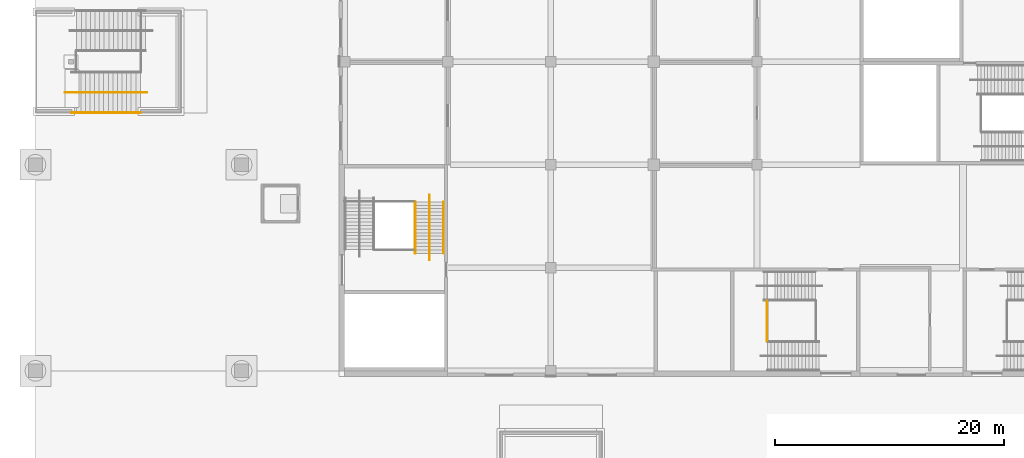
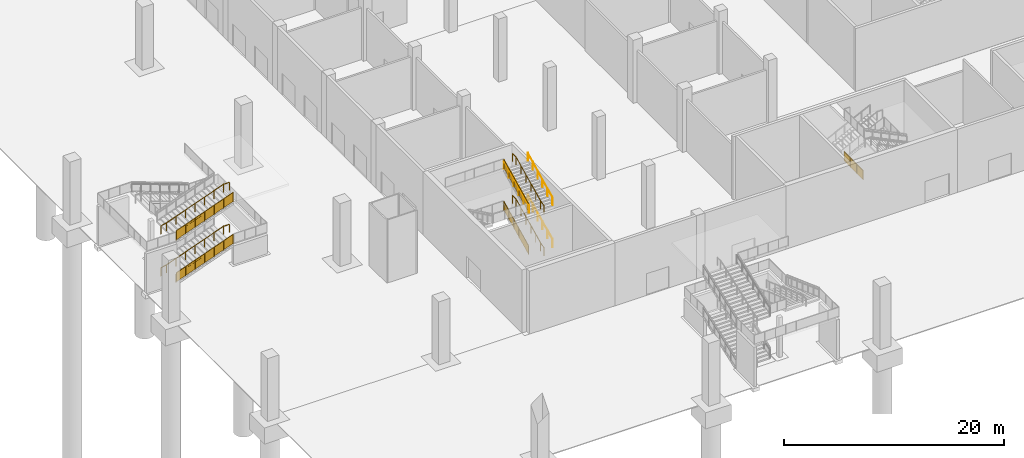
# One storey, part 53 of 92: 14 railings.
"""IFC4 building model written with IfcOpenShell, lengths in metres."""

from ifc_helpers import new_model, si_unit, direction, frame, origin, origin_2d, place, context, subcontext, project, spatial, polyline, circle, outline, extrude, material, type_object, element, save


model = new_model("IFC4")

# Units and contexts
model_context = context("Model", 3, precision=1e-05, world=origin(), true_north=direction((0.0, 1.0)))
body_context = subcontext(model_context, "Body", "Model", "MODEL_VIEW")
ifc_project = project(units=[si_unit("LENGTHUNIT", "METRE"), si_unit("AREAUNIT", "SQUARE_METRE"), si_unit("VOLUMEUNIT", "CUBIC_METRE"), si_unit("PLANEANGLEUNIT", "RADIAN"), si_unit("MASSUNIT", "GRAM", prefix="KILO")], contexts=[model_context])

# Site, building, storey
site_placement = place(None, origin())
site = spatial("IfcSite", under=ifc_project, at=site_placement, CompositionType="ELEMENT")
building_placement = place(site_placement, origin())
building = spatial("IfcBuilding", under=site, at=building_placement, Name="Silverbay Arena", CompositionType="ELEMENT")
storey_placement = place(building_placement, origin())
storey = spatial("IfcBuildingStorey", under=building, at=storey_placement, Name="L00", CompositionType="ELEMENT", Elevation=0.0)

# Railings
ifc_material_1 = material(Name="Stainless steel", Category="steel")
railing_type_1 = type_object("IfcRailingType", Name="Stair guard 1100", PredefinedType="GUARDRAIL", material=ifc_material_1)
railing_1_placement = place(storey_placement, frame((63.89306640625, 24.10009765625, 2.333251953125)))
element("IfcRailing", 1, at=railing_1_placement, inside=storey, type_object=railing_type_1, Name="Stair ST-S5 L00 to L01 landing 1 guard", PredefinedType="GUARDRAIL", context=body_context, shape_type="SweptSolid", body=[
    extrude(circle(Radius=0.02392578125, at=origin_2d()), frame((0.0, 0.0, 1.076171875), z_axis=(0.0, -1.0, 0.0), x_axis=(1.0, 0.0, 0.0)), (0.0, 0.0, 1.0), 3.5),
    extrude(outline(polyline([(-0.008056640625, 0.050048828125), (1.174560546875, 0.050048828125), (1.174560546875, 1.052978515625), (-0.008056640625, 1.052978515625), (-0.008056640625, 0.050048828125)])), frame((0.0029296875, 0.0, 0.0), z_axis=(-1.0, 0.0, 0.0), x_axis=(0.0, -1.0, 0.0)), (0.0, 0.0, 1.0), 0.006103515625),
    extrude(outline(polyline([(-0.008056640625, 0.050048828125), (1.174560546875, 0.050048828125), (1.174560546875, 1.052978515625), (-0.008056640625, 1.052978515625), (-0.008056640625, 0.050048828125)])), frame((0.0029296875, -1.166748046875, 0.0), z_axis=(-1.0, 0.0, 0.0), x_axis=(0.0, -1.0, 0.0)), (0.0, 0.0, 1.0), 0.006103515625),
    extrude(outline(polyline([(-0.008056640625, 0.050048828125), (1.174560546875, 0.050048828125), (1.174560546875, 1.052978515625), (-0.008056640625, 1.052978515625), (-0.008056640625, 0.050048828125)])), frame((0.0029296875, -2.333251953125, 0.0), z_axis=(-1.0, 0.0, 0.0), x_axis=(0.0, -1.0, 0.0)), (0.0, 0.0, 1.0), 0.006103515625),
    extrude(circle(Radius=0.02099609375, at=origin_2d()), origin(), (0.0, 0.0, 1.0), 1.052001953125),
    extrude(circle(Radius=0.02099609375, at=origin_2d()), frame((0.0, -1.166748046875, 0.0)), (0.0, 0.0, 1.0), 1.052001953125),
    extrude(circle(Radius=0.02099609375, at=origin_2d()), frame((0.0, -2.333251953125, 0.0)), (0.0, 0.0, 1.0), 1.052001953125),
    extrude(circle(Radius=0.02099609375, at=origin_2d()), frame((0.0, -3.5, 0.0)), (0.0, 0.0, 1.0), 1.052001953125),
])
railing_2_placement = place(storey_placement, frame((33.125, 28.2568359375, 0.145751953125)))
element("IfcRailing", 2, at=railing_2_placement, inside=storey, type_object=railing_type_1, Name="Stair ST-WG1 L00 to L01 flight 1 guard right", PredefinedType="GUARDRAIL", context=body_context, shape_type="SweptSolid", body=[
    extrude(circle(Radius=0.02392578125, at=origin_2d()), frame((0.0, 0.0, 1.076171875), z_axis=(0.0, 0.899367854138, 0.437192706873), x_axis=(-1.0, 0.0, 0.0)), (0.0, 0.0, 1.0), 5.00341796875),
    extrude(outline(polyline([(-0.008056640625, 0.046142578125), (0.907958984375, 0.491455078125), (0.907958984375, 1.494384765625), (-0.008056640625, 1.049072265625), (-0.008056640625, 0.046142578125)])), frame((-0.0029296875, 0.0, 0.0), z_axis=(1.0, 0.0, 0.0), x_axis=(0.0, 1.0, 0.0)), (0.0, 0.0, 1.0), 0.006103515625),
    extrude(outline(polyline([(-0.008056640625, 0.483642578125), (0.907958984375, 0.928955078125), (0.907958984375, 1.931884765625), (-0.008056640625, 1.486572265625), (-0.008056640625, 0.483642578125)])), frame((-0.0029296875, 0.89990234375, 0.0), z_axis=(1.0, 0.0, 0.0), x_axis=(0.0, 1.0, 0.0)), (0.0, 0.0, 1.0), 0.006103515625),
    extrude(outline(polyline([(-0.008056640625, 0.921142578125), (0.907958984375, 1.366455078125), (0.907958984375, 2.369384765625), (-0.008056640625, 1.924072265625), (-0.008056640625, 0.921142578125)])), frame((-0.0029296875, 1.800048828125, 0.0), z_axis=(1.0, 0.0, 0.0), x_axis=(0.0, 1.0, 0.0)), (0.0, 0.0, 1.0), 0.006103515625),
    extrude(outline(polyline([(-0.008056640625, 1.358642578125), (0.907958984375, 1.803955078125), (0.907958984375, 2.806884765625), (-0.008056640625, 2.361572265625), (-0.008056640625, 1.358642578125)])), frame((-0.0029296875, 2.699951171875, 0.0), z_axis=(1.0, 0.0, 0.0), x_axis=(0.0, 1.0, 0.0)), (0.0, 0.0, 1.0), 0.006103515625),
    extrude(outline(polyline([(-0.008056640625, 1.796142578125), (0.907958984375, 2.241455078125), (0.907958984375, 3.244384765625), (-0.008056640625, 2.799072265625), (-0.008056640625, 1.796142578125)])), frame((-0.0029296875, 3.60009765625, 0.0), z_axis=(1.0, 0.0, 0.0), x_axis=(0.0, 1.0, 0.0)), (0.0, 0.0, 1.0), 0.006103515625),
    extrude(circle(Radius=0.02099609375, at=origin_2d()), origin(), (0.0, 0.0, 1.0), 1.052001953125),
    extrude(circle(Radius=0.02099609375, at=origin_2d()), frame((0.0, 0.89990234375, 0.4375)), (0.0, 0.0, 1.0), 1.052001953125),
    extrude(circle(Radius=0.02099609375, at=origin_2d()), frame((0.0, 1.800048828125, 0.875)), (0.0, 0.0, 1.0), 1.052001953125),
    extrude(circle(Radius=0.02099609375, at=origin_2d()), frame((0.0, 2.699951171875, 1.3125)), (0.0, 0.0, 1.0), 1.052001953125),
    extrude(circle(Radius=0.02099609375, at=origin_2d()), frame((0.0, 3.60009765625, 1.75)), (0.0, 0.0, 1.0), 1.052001953125),
    extrude(circle(Radius=0.02099609375, at=origin_2d()), frame((0.0, 4.5, 2.1875)), (0.0, 0.0, 1.0), 1.052001953125),
])
railing_3_placement = place(storey_placement, frame((33.125, 28.2568359375, 4.8125)))
element("IfcRailing", 3, at=railing_3_placement, inside=storey, type_object=railing_type_1, Name="Stair ST-WG1 L00 to L01 flight 3 guard right", PredefinedType="GUARDRAIL", context=body_context, shape_type="SweptSolid", body=[
    extrude(circle(Radius=0.02392578125, at=origin_2d()), frame((0.0, 0.0, 1.076171875), z_axis=(0.0, 0.899367854138, 0.437192706873), x_axis=(-1.0, 0.0, 0.0)), (0.0, 0.0, 1.0), 5.00341796875),
    extrude(outline(polyline([(-0.008056640625, 0.046142578125), (0.907958984375, 0.491455078125), (0.907958984375, 1.494384765625), (-0.008056640625, 1.049072265625), (-0.008056640625, 0.046142578125)])), frame((-0.0029296875, 0.0, 0.0), z_axis=(1.0, 0.0, 0.0), x_axis=(0.0, 1.0, 0.0)), (0.0, 0.0, 1.0), 0.006103515625),
    extrude(outline(polyline([(-0.008056640625, 0.483642578125), (0.907958984375, 0.928955078125), (0.907958984375, 1.931884765625), (-0.008056640625, 1.486572265625), (-0.008056640625, 0.483642578125)])), frame((-0.0029296875, 0.89990234375, 0.0), z_axis=(1.0, 0.0, 0.0), x_axis=(0.0, 1.0, 0.0)), (0.0, 0.0, 1.0), 0.006103515625),
    extrude(outline(polyline([(-0.008056640625, 0.921142578125), (0.907958984375, 1.366455078125), (0.907958984375, 2.369384765625), (-0.008056640625, 1.924072265625), (-0.008056640625, 0.921142578125)])), frame((-0.0029296875, 1.800048828125, 0.0), z_axis=(1.0, 0.0, 0.0), x_axis=(0.0, 1.0, 0.0)), (0.0, 0.0, 1.0), 0.006103515625),
    extrude(outline(polyline([(-0.008056640625, 1.358642578125), (0.907958984375, 1.803955078125), (0.907958984375, 2.806884765625), (-0.008056640625, 2.361572265625), (-0.008056640625, 1.358642578125)])), frame((-0.0029296875, 2.699951171875, 0.0), z_axis=(1.0, 0.0, 0.0), x_axis=(0.0, 1.0, 0.0)), (0.0, 0.0, 1.0), 0.006103515625),
    extrude(outline(polyline([(-0.008056640625, 1.796142578125), (0.907958984375, 2.241455078125), (0.907958984375, 3.244384765625), (-0.008056640625, 2.799072265625), (-0.008056640625, 1.796142578125)])), frame((-0.0029296875, 3.60009765625, 0.0), z_axis=(1.0, 0.0, 0.0), x_axis=(0.0, 1.0, 0.0)), (0.0, 0.0, 1.0), 0.006103515625),
    extrude(circle(Radius=0.02099609375, at=origin_2d()), origin(), (0.0, 0.0, 1.0), 1.052001953125),
    extrude(circle(Radius=0.02099609375, at=origin_2d()), frame((0.0, 0.89990234375, 0.4375)), (0.0, 0.0, 1.0), 1.052001953125),
    extrude(circle(Radius=0.02099609375, at=origin_2d()), frame((0.0, 1.800048828125, 0.875)), (0.0, 0.0, 1.0), 1.052001953125),
    extrude(circle(Radius=0.02099609375, at=origin_2d()), frame((0.0, 2.699951171875, 1.3125)), (0.0, 0.0, 1.0), 1.052001953125),
    extrude(circle(Radius=0.02099609375, at=origin_2d()), frame((0.0, 3.60009765625, 1.75)), (0.0, 0.0, 1.0), 1.052001953125),
    extrude(circle(Radius=0.02099609375, at=origin_2d()), frame((0.0, 4.5, 2.1875)), (0.0, 0.0, 1.0), 1.052001953125),
])
railing_4_placement = place(storey_placement, frame((3.162109375, 40.52490234375, 0.145751953125)))
element("IfcRailing", 4, at=railing_4_placement, inside=storey, type_object=railing_type_1, Name="Deck stair DS1 flight 1 guard left", PredefinedType="GUARDRAIL", context=body_context, shape_type="SweptSolid", body=[
    extrude(circle(Radius=0.02392578125, at=origin_2d()), frame((0.0, 0.0, 1.076171875), z_axis=(0.939507356738, 0.0, 0.342528723811), x_axis=(0.0, 1.0, 0.0)), (0.0, 0.0, 1.0), 6.38623046875),
    extrude(outline(polyline([(-0.008056640625, 0.047119140625), (1.008056640625, 0.41748046875), (1.008056640625, 1.42041015625), (-0.008056640625, 1.050048828125), (-0.008056640625, 0.047119140625)])), frame((0.0, 0.0029296875, 0.0), z_axis=(0.0, -1.0, 0.0), x_axis=(1.0, 0.0, 0.0)), (0.0, 0.0, 1.0), 0.006103515625),
    extrude(outline(polyline([(-0.008056640625, 0.41162109375), (1.008056640625, 0.781982421875), (1.008056640625, 1.78515625), (-0.008056640625, 1.41455078125), (-0.008056640625, 0.41162109375)])), frame((1.0, 0.0029296875, 0.0), z_axis=(0.0, -1.0, 0.0), x_axis=(1.0, 0.0, 0.0)), (0.0, 0.0, 1.0), 0.006103515625),
    extrude(outline(polyline([(-0.008056640625, 0.7763671875), (1.008056640625, 1.146728515625), (1.008056640625, 2.149658203125), (-0.008056640625, 1.779296875), (-0.008056640625, 0.7763671875)])), frame((2.0, 0.0029296875, 0.0), z_axis=(0.0, -1.0, 0.0), x_axis=(1.0, 0.0, 0.0)), (0.0, 0.0, 1.0), 0.006103515625),
    extrude(outline(polyline([(-0.008056640625, 1.140869140625), (1.008056640625, 1.51123046875), (1.008056640625, 2.51416015625), (-0.008056640625, 2.143798828125), (-0.008056640625, 1.140869140625)])), frame((3.0, 0.0029296875, 0.0), z_axis=(0.0, -1.0, 0.0), x_axis=(1.0, 0.0, 0.0)), (0.0, 0.0, 1.0), 0.006103515625),
    extrude(outline(polyline([(-0.008056640625, 1.50537109375), (1.008056640625, 1.875732421875), (1.008056640625, 2.87890625), (-0.008056640625, 2.50830078125), (-0.008056640625, 1.50537109375)])), frame((4.0, 0.0029296875, 0.0), z_axis=(0.0, -1.0, 0.0), x_axis=(1.0, 0.0, 0.0)), (0.0, 0.0, 1.0), 0.006103515625),
    extrude(outline(polyline([(-0.008056640625, 1.8701171875), (1.008056640625, 2.240478515625), (1.008056640625, 3.243408203125), (-0.008056640625, 2.873046875), (-0.008056640625, 1.8701171875)])), frame((5.0, 0.0029296875, 0.0), z_axis=(0.0, -1.0, 0.0), x_axis=(1.0, 0.0, 0.0)), (0.0, 0.0, 1.0), 0.006103515625),
    extrude(circle(Radius=0.02099609375, at=origin_2d()), origin(), (0.0, 0.0, 1.0), 1.052001953125),
    extrude(circle(Radius=0.02099609375, at=origin_2d()), frame((1.0, 0.0, 0.364501953125)), (0.0, 0.0, 1.0), 1.052001953125),
    extrude(circle(Radius=0.02099609375, at=origin_2d()), frame((2.0, 0.0, 0.729248046875)), (0.0, 0.0, 1.0), 1.052001953125),
    extrude(circle(Radius=0.02099609375, at=origin_2d()), frame((3.0, 0.0, 1.09375)), (0.0, 0.0, 1.0), 1.052001953125),
    extrude(circle(Radius=0.02099609375, at=origin_2d()), frame((4.0, 0.0, 1.458251953125)), (0.0, 0.0, 1.0), 1.052001953125),
    extrude(circle(Radius=0.02099609375, at=origin_2d()), frame((5.0, 0.0, 1.822998046875)), (0.0, 0.0, 1.0), 1.052001953125),
    extrude(circle(Radius=0.02099609375, at=origin_2d()), frame((6.0, 0.0, 2.1875)), (0.0, 0.0, 1.0), 1.052001953125),
])
railing_5_placement = place(storey_placement, frame((3.162109375, 40.52490234375, 4.8125)))
element("IfcRailing", 5, at=railing_5_placement, inside=storey, type_object=railing_type_1, Name="Deck stair DS1 flight 3 guard left", PredefinedType="GUARDRAIL", context=body_context, shape_type="SweptSolid", body=[
    extrude(circle(Radius=0.02392578125, at=origin_2d()), frame((0.0, 0.0, 1.076171875), z_axis=(0.939507356738, 0.0, 0.342528723811), x_axis=(0.0, 1.0, 0.0)), (0.0, 0.0, 1.0), 6.38623046875),
    extrude(outline(polyline([(-0.008056640625, 0.047119140625), (1.008056640625, 0.41748046875), (1.008056640625, 1.42041015625), (-0.008056640625, 1.050048828125), (-0.008056640625, 0.047119140625)])), frame((0.0, 0.0029296875, 0.0), z_axis=(0.0, -1.0, 0.0), x_axis=(1.0, 0.0, 0.0)), (0.0, 0.0, 1.0), 0.006103515625),
    extrude(outline(polyline([(-0.008056640625, 0.41162109375), (1.008056640625, 0.781982421875), (1.008056640625, 1.78515625), (-0.008056640625, 1.41455078125), (-0.008056640625, 0.41162109375)])), frame((1.0, 0.0029296875, 0.0), z_axis=(0.0, -1.0, 0.0), x_axis=(1.0, 0.0, 0.0)), (0.0, 0.0, 1.0), 0.006103515625),
    extrude(outline(polyline([(-0.008056640625, 0.7763671875), (1.008056640625, 1.146728515625), (1.008056640625, 2.149658203125), (-0.008056640625, 1.779296875), (-0.008056640625, 0.7763671875)])), frame((2.0, 0.0029296875, 0.0), z_axis=(0.0, -1.0, 0.0), x_axis=(1.0, 0.0, 0.0)), (0.0, 0.0, 1.0), 0.006103515625),
    extrude(outline(polyline([(-0.008056640625, 1.140869140625), (1.008056640625, 1.51123046875), (1.008056640625, 2.51416015625), (-0.008056640625, 2.143798828125), (-0.008056640625, 1.140869140625)])), frame((3.0, 0.0029296875, 0.0), z_axis=(0.0, -1.0, 0.0), x_axis=(1.0, 0.0, 0.0)), (0.0, 0.0, 1.0), 0.006103515625),
    extrude(outline(polyline([(-0.008056640625, 1.50537109375), (1.008056640625, 1.875732421875), (1.008056640625, 2.87890625), (-0.008056640625, 2.50830078125), (-0.008056640625, 1.50537109375)])), frame((4.0, 0.0029296875, 0.0), z_axis=(0.0, -1.0, 0.0), x_axis=(1.0, 0.0, 0.0)), (0.0, 0.0, 1.0), 0.006103515625),
    extrude(outline(polyline([(-0.008056640625, 1.8701171875), (1.008056640625, 2.240478515625), (1.008056640625, 3.243408203125), (-0.008056640625, 2.873046875), (-0.008056640625, 1.8701171875)])), frame((5.0, 0.0029296875, 0.0), z_axis=(0.0, -1.0, 0.0), x_axis=(1.0, 0.0, 0.0)), (0.0, 0.0, 1.0), 0.006103515625),
    extrude(circle(Radius=0.02099609375, at=origin_2d()), origin(), (0.0, 0.0, 1.0), 1.052001953125),
    extrude(circle(Radius=0.02099609375, at=origin_2d()), frame((1.0, 0.0, 0.364501953125)), (0.0, 0.0, 1.0), 1.052001953125),
    extrude(circle(Radius=0.02099609375, at=origin_2d()), frame((2.0, 0.0, 0.729248046875)), (0.0, 0.0, 1.0), 1.052001953125),
    extrude(circle(Radius=0.02099609375, at=origin_2d()), frame((3.0, 0.0, 1.09375)), (0.0, 0.0, 1.0), 1.052001953125),
    extrude(circle(Radius=0.02099609375, at=origin_2d()), frame((4.0, 0.0, 1.458251953125)), (0.0, 0.0, 1.0), 1.052001953125),
    extrude(circle(Radius=0.02099609375, at=origin_2d()), frame((5.0, 0.0, 1.822998046875)), (0.0, 0.0, 1.0), 1.052001953125),
    extrude(circle(Radius=0.02099609375, at=origin_2d()), frame((6.0, 0.0, 2.1875)), (0.0, 0.0, 1.0), 1.052001953125),
])
ifc_material_2 = material(Name="Stainless steel", Category="steel")
railing_type_2 = type_object("IfcRailingType", Name="Stair handrail 900", PredefinedType="HANDRAIL", material=ifc_material_2)
railing_6_placement = place(storey_placement, frame((35.64990234375, 28.2568359375, 0.145751953125)))
element("IfcRailing", 6, at=railing_6_placement, inside=storey, type_object=railing_type_2, Name="Stair ST-WG1 L00 to L01 flight 1 handrail left", PredefinedType="HANDRAIL", context=body_context, shape_type="SweptSolid", body=[
    extrude(circle(Radius=0.02392578125, at=origin_2d()), frame((0.0, 0.0, 0.8759765625), z_axis=(0.0, 0.899367854138, 0.437192706873), x_axis=(-1.0, 0.0, 0.0)), (0.0, 0.0, 1.0), 5.00341796875),
    extrude(circle(Radius=0.02099609375, at=origin_2d()), origin(), (0.0, 0.0, 1.0), 0.851806640625),
    extrude(circle(Radius=0.02099609375, at=origin_2d()), frame((0.0, 0.89990234375, 0.4375)), (0.0, 0.0, 1.0), 0.851806640625),
    extrude(circle(Radius=0.02099609375, at=origin_2d()), frame((0.0, 1.800048828125, 0.875)), (0.0, 0.0, 1.0), 0.851806640625),
    extrude(circle(Radius=0.02099609375, at=origin_2d()), frame((0.0, 2.699951171875, 1.3125)), (0.0, 0.0, 1.0), 0.851806640625),
    extrude(circle(Radius=0.02099609375, at=origin_2d()), frame((0.0, 3.60009765625, 1.75)), (0.0, 0.0, 1.0), 0.851806640625),
    extrude(circle(Radius=0.02099609375, at=origin_2d()), frame((0.0, 4.5, 2.1875)), (0.0, 0.0, 1.0), 0.851806640625),
])
railing_7_placement = place(storey_placement, frame((34.39990234375, 27.656982421875, 0.0)))
element("IfcRailing", 7, at=railing_7_placement, inside=storey, type_object=railing_type_2, Name="Stair ST-WG1 L00 to L01 flight 1 central handrail", PredefinedType="HANDRAIL", context=body_context, shape_type="SweptSolid", body=[
    extrude(circle(Radius=0.02392578125, at=origin_2d()), frame((0.0, 0.0, 0.8759765625), z_axis=(0.0, 0.971726487806, 0.23610936639), x_axis=(-1.0, 0.0, 0.0)), (0.0, 0.0, 1.0), 0.6171875),
    extrude(circle(Radius=0.02392578125, at=origin_2d()), frame((0.0, 0.599853515625, 1.021484375), z_axis=(0.0, 0.899367854138, 0.437192706873), x_axis=(-1.0, 0.0, 0.0)), (0.0, 0.0, 1.0), 5.00341796875),
    extrude(circle(Radius=0.02392578125, at=origin_2d()), frame((0.0, 5.099853515625, 3.208984375), z_axis=(0.0, 1.0, 0.0), x_axis=(-1.0, 0.0, 0.0)), (0.0, 0.0, 1.0), 0.60009765625),
    extrude(circle(Radius=0.02099609375, at=origin_2d()), origin(), (0.0, 0.0, 1.0), 0.851806640625),
    extrude(circle(Radius=0.02099609375, at=origin_2d()), frame((0.0, 0.599853515625, 0.145751953125)), (0.0, 0.0, 1.0), 0.851806640625),
    extrude(circle(Radius=0.02099609375, at=origin_2d()), frame((0.0, 1.499755859375, 0.583251953125)), (0.0, 0.0, 1.0), 0.851806640625),
    extrude(circle(Radius=0.02099609375, at=origin_2d()), frame((0.0, 2.39990234375, 1.020751953125)), (0.0, 0.0, 1.0), 0.851806640625),
    extrude(circle(Radius=0.02099609375, at=origin_2d()), frame((0.0, 3.2998046875, 1.458251953125)), (0.0, 0.0, 1.0), 0.851806640625),
    extrude(circle(Radius=0.02099609375, at=origin_2d()), frame((0.0, 4.199951171875, 1.895751953125)), (0.0, 0.0, 1.0), 0.851806640625),
    extrude(circle(Radius=0.02099609375, at=origin_2d()), frame((0.0, 5.099853515625, 2.333251953125)), (0.0, 0.0, 1.0), 0.851806640625),
    extrude(circle(Radius=0.02099609375, at=origin_2d()), frame((0.0, 5.699951171875, 2.333251953125)), (0.0, 0.0, 1.0), 0.851806640625),
])
for number, where, name in (
    (8, (35.64990234375, 28.2568359375, 4.8125), "Stair ST-WG1 L00 to L01 flight 3 handrail left"),
    (9, (33.1640625, 28.2568359375, 4.8125), "Stair ST-WG1 L00 to L01 flight 3 handrail right"),
):
    element("IfcRailing", number, at=place(storey_placement, frame(where)), inside=storey, type_object=railing_type_2, Name=name, PredefinedType="HANDRAIL", context=body_context, shape_type="SweptSolid", body=[
        extrude(circle(Radius=0.02392578125, at=origin_2d()), frame((0.0, 0.0, 0.8759765625), z_axis=(0.0, 0.899367854138, 0.437192706873), x_axis=(-1.0, 0.0, 0.0)), (0.0, 0.0, 1.0), 5.00341796875),
        extrude(circle(Radius=0.02099609375, at=origin_2d()), origin(), (0.0, 0.0, 1.0), 0.851806640625),
        extrude(circle(Radius=0.02099609375, at=origin_2d()), frame((0.0, 0.89990234375, 0.4375)), (0.0, 0.0, 1.0), 0.851806640625),
        extrude(circle(Radius=0.02099609375, at=origin_2d()), frame((0.0, 1.800048828125, 0.875)), (0.0, 0.0, 1.0), 0.851806640625),
        extrude(circle(Radius=0.02099609375, at=origin_2d()), frame((0.0, 2.699951171875, 1.3125)), (0.0, 0.0, 1.0), 0.851806640625),
        extrude(circle(Radius=0.02099609375, at=origin_2d()), frame((0.0, 3.60009765625, 1.75)), (0.0, 0.0, 1.0), 0.851806640625),
        extrude(circle(Radius=0.02099609375, at=origin_2d()), frame((0.0, 4.5, 2.1875)), (0.0, 0.0, 1.0), 0.851806640625),
    ])
railing_8_placement = place(storey_placement, frame((34.39990234375, 27.656982421875, 4.666748046875)))
element("IfcRailing", 10, at=railing_8_placement, inside=storey, type_object=railing_type_2, Name="Stair ST-WG1 L00 to L01 flight 3 central handrail", PredefinedType="HANDRAIL", context=body_context, shape_type="SweptSolid", body=[
    extrude(circle(Radius=0.02392578125, at=origin_2d()), frame((0.0, 0.0, 0.8759765625), z_axis=(0.0, 0.971726487806, 0.23610936639), x_axis=(-1.0, 0.0, 0.0)), (0.0, 0.0, 1.0), 0.6171875),
    extrude(circle(Radius=0.02392578125, at=origin_2d()), frame((0.0, 0.599853515625, 1.021484375), z_axis=(0.0, 0.899367854138, 0.437192706873), x_axis=(-1.0, 0.0, 0.0)), (0.0, 0.0, 1.0), 5.00341796875),
    extrude(circle(Radius=0.02392578125, at=origin_2d()), frame((0.0, 5.099853515625, 3.208984375), z_axis=(0.0, 1.0, 0.0), x_axis=(-1.0, 0.0, 0.0)), (0.0, 0.0, 1.0), 0.60009765625),
    extrude(circle(Radius=0.02099609375, at=origin_2d()), origin(), (0.0, 0.0, 1.0), 0.851806640625),
    extrude(circle(Radius=0.02099609375, at=origin_2d()), frame((0.0, 0.599853515625, 0.145751953125)), (0.0, 0.0, 1.0), 0.851806640625),
    extrude(circle(Radius=0.02099609375, at=origin_2d()), frame((0.0, 1.499755859375, 0.583251953125)), (0.0, 0.0, 1.0), 0.851806640625),
    extrude(circle(Radius=0.02099609375, at=origin_2d()), frame((0.0, 2.39990234375, 1.020751953125)), (0.0, 0.0, 1.0), 0.851806640625),
    extrude(circle(Radius=0.02099609375, at=origin_2d()), frame((0.0, 3.2998046875, 1.458251953125)), (0.0, 0.0, 1.0), 0.851806640625),
    extrude(circle(Radius=0.02099609375, at=origin_2d()), frame((0.0, 4.199951171875, 1.895751953125)), (0.0, 0.0, 1.0), 0.851806640625),
    extrude(circle(Radius=0.02099609375, at=origin_2d()), frame((0.0, 5.099853515625, 2.333251953125)), (0.0, 0.0, 1.0), 0.851806640625),
    extrude(circle(Radius=0.02099609375, at=origin_2d()), frame((0.0, 5.699951171875, 2.333251953125)), (0.0, 0.0, 1.0), 0.851806640625),
])
railing_9_placement = place(storey_placement, frame((3.162109375, 40.56396484375, 0.145751953125)))
element("IfcRailing", 11, at=railing_9_placement, inside=storey, type_object=railing_type_2, Name="Deck stair DS1 flight 1 handrail left", PredefinedType="HANDRAIL", context=body_context, shape_type="SweptSolid", body=[
    extrude(circle(Radius=0.02392578125, at=origin_2d()), frame((0.0, 0.0, 0.8759765625), z_axis=(0.939507356738, 0.0, 0.342528723811), x_axis=(0.0, 1.0, 0.0)), (0.0, 0.0, 1.0), 6.38623046875),
    extrude(circle(Radius=0.02099609375, at=origin_2d()), origin(), (0.0, 0.0, 1.0), 0.851806640625),
    extrude(circle(Radius=0.02099609375, at=origin_2d()), frame((1.0, 0.0, 0.364501953125)), (0.0, 0.0, 1.0), 0.851806640625),
    extrude(circle(Radius=0.02099609375, at=origin_2d()), frame((2.0, 0.0, 0.729248046875)), (0.0, 0.0, 1.0), 0.851806640625),
    extrude(circle(Radius=0.02099609375, at=origin_2d()), frame((3.0, 0.0, 1.09375)), (0.0, 0.0, 1.0), 0.851806640625),
    extrude(circle(Radius=0.02099609375, at=origin_2d()), frame((4.0, 0.0, 1.458251953125)), (0.0, 0.0, 1.0), 0.851806640625),
    extrude(circle(Radius=0.02099609375, at=origin_2d()), frame((5.0, 0.0, 1.822998046875)), (0.0, 0.0, 1.0), 0.851806640625),
    extrude(circle(Radius=0.02099609375, at=origin_2d()), frame((6.0, 0.0, 2.1875)), (0.0, 0.0, 1.0), 0.851806640625),
])
railing_10_placement = place(storey_placement, frame((2.56201171875, 42.300048828125, 0.0)))
element("IfcRailing", 12, at=railing_10_placement, inside=storey, type_object=railing_type_2, Name="Deck stair DS1 flight 1 central handrail", PredefinedType="HANDRAIL", context=body_context, shape_type="SweptSolid", body=[
    extrude(circle(Radius=0.02392578125, at=origin_2d()), frame((0.0, 0.0, 0.8759765625), z_axis=(0.971748522905, 0.0, 0.236018660771), x_axis=(0.0, 1.0, 0.0)), (0.0, 0.0, 1.0), 0.617431640625),
    extrude(circle(Radius=0.02392578125, at=origin_2d()), frame((0.60009765625, 0.0, 1.021484375), z_axis=(0.939507356738, 0.0, 0.342528723811), x_axis=(0.0, 1.0, 0.0)), (0.0, 0.0, 1.0), 6.38623046875),
    extrude(circle(Radius=0.02392578125, at=origin_2d()), frame((6.60009765625, 0.0, 3.208984375), z_axis=(1.0, 0.0, 0.0), x_axis=(0.0, 1.0, 0.0)), (0.0, 0.0, 1.0), 0.599853515625),
    extrude(circle(Radius=0.02099609375, at=origin_2d()), origin(), (0.0, 0.0, 1.0), 0.851806640625),
    extrude(circle(Radius=0.02099609375, at=origin_2d()), frame((0.60009765625, 0.0, 0.145751953125)), (0.0, 0.0, 1.0), 0.851806640625),
    extrude(circle(Radius=0.02099609375, at=origin_2d()), frame((1.60009765625, 0.0, 0.51025390625)), (0.0, 0.0, 1.0), 0.851806640625),
    extrude(circle(Radius=0.02099609375, at=origin_2d()), frame((2.60009765625, 0.0, 0.875)), (0.0, 0.0, 1.0), 0.851806640625),
    extrude(circle(Radius=0.02099609375, at=origin_2d()), frame((3.60009765625, 0.0, 1.239501953125)), (0.0, 0.0, 1.0), 0.851806640625),
    extrude(circle(Radius=0.02099609375, at=origin_2d()), frame((4.60009765625, 0.0, 1.60400390625)), (0.0, 0.0, 1.0), 0.851806640625),
    extrude(circle(Radius=0.02099609375, at=origin_2d()), frame((5.60009765625, 0.0, 1.96875)), (0.0, 0.0, 1.0), 0.851806640625),
    extrude(circle(Radius=0.02099609375, at=origin_2d()), frame((6.60009765625, 0.0, 2.333251953125)), (0.0, 0.0, 1.0), 0.851806640625),
    extrude(circle(Radius=0.02099609375, at=origin_2d()), frame((7.199951171875, 0.0, 2.333251953125)), (0.0, 0.0, 1.0), 0.851806640625),
])
railing_11_placement = place(storey_placement, frame((3.162109375, 40.56396484375, 4.8125)))
element("IfcRailing", 13, at=railing_11_placement, inside=storey, type_object=railing_type_2, Name="Deck stair DS1 flight 3 handrail left", PredefinedType="HANDRAIL", context=body_context, shape_type="SweptSolid", body=[
    extrude(circle(Radius=0.02392578125, at=origin_2d()), frame((0.0, 0.0, 0.8759765625), z_axis=(0.939507356738, 0.0, 0.342528723811), x_axis=(0.0, 1.0, 0.0)), (0.0, 0.0, 1.0), 6.38623046875),
    extrude(circle(Radius=0.02099609375, at=origin_2d()), origin(), (0.0, 0.0, 1.0), 0.851806640625),
    extrude(circle(Radius=0.02099609375, at=origin_2d()), frame((1.0, 0.0, 0.364501953125)), (0.0, 0.0, 1.0), 0.851806640625),
    extrude(circle(Radius=0.02099609375, at=origin_2d()), frame((2.0, 0.0, 0.729248046875)), (0.0, 0.0, 1.0), 0.851806640625),
    extrude(circle(Radius=0.02099609375, at=origin_2d()), frame((3.0, 0.0, 1.09375)), (0.0, 0.0, 1.0), 0.851806640625),
    extrude(circle(Radius=0.02099609375, at=origin_2d()), frame((4.0, 0.0, 1.458251953125)), (0.0, 0.0, 1.0), 0.851806640625),
    extrude(circle(Radius=0.02099609375, at=origin_2d()), frame((5.0, 0.0, 1.822998046875)), (0.0, 0.0, 1.0), 0.851806640625),
    extrude(circle(Radius=0.02099609375, at=origin_2d()), frame((6.0, 0.0, 2.1875)), (0.0, 0.0, 1.0), 0.851806640625),
])
railing_12_placement = place(storey_placement, frame((2.56201171875, 42.300048828125, 4.666748046875)))
element("IfcRailing", 14, at=railing_12_placement, inside=storey, type_object=railing_type_2, Name="Deck stair DS1 flight 3 central handrail", PredefinedType="HANDRAIL", context=body_context, shape_type="SweptSolid", body=[
    extrude(circle(Radius=0.02392578125, at=origin_2d()), frame((0.0, 0.0, 0.8759765625), z_axis=(0.971748522905, 0.0, 0.236018660771), x_axis=(0.0, 1.0, 0.0)), (0.0, 0.0, 1.0), 0.617431640625),
    extrude(circle(Radius=0.02392578125, at=origin_2d()), frame((0.60009765625, 0.0, 1.021484375), z_axis=(0.939507356738, 0.0, 0.342528723811), x_axis=(0.0, 1.0, 0.0)), (0.0, 0.0, 1.0), 6.38623046875),
    extrude(circle(Radius=0.02392578125, at=origin_2d()), frame((6.60009765625, 0.0, 3.208984375), z_axis=(1.0, 0.0, 0.0), x_axis=(0.0, 1.0, 0.0)), (0.0, 0.0, 1.0), 0.599853515625),
    extrude(circle(Radius=0.02099609375, at=origin_2d()), origin(), (0.0, 0.0, 1.0), 0.851806640625),
    extrude(circle(Radius=0.02099609375, at=origin_2d()), frame((0.60009765625, 0.0, 0.145751953125)), (0.0, 0.0, 1.0), 0.851806640625),
    extrude(circle(Radius=0.02099609375, at=origin_2d()), frame((1.60009765625, 0.0, 0.51025390625)), (0.0, 0.0, 1.0), 0.851806640625),
    extrude(circle(Radius=0.02099609375, at=origin_2d()), frame((2.60009765625, 0.0, 0.875)), (0.0, 0.0, 1.0), 0.851806640625),
    extrude(circle(Radius=0.02099609375, at=origin_2d()), frame((3.60009765625, 0.0, 1.239501953125)), (0.0, 0.0, 1.0), 0.851806640625),
    extrude(circle(Radius=0.02099609375, at=origin_2d()), frame((4.60009765625, 0.0, 1.60400390625)), (0.0, 0.0, 1.0), 0.851806640625),
    extrude(circle(Radius=0.02099609375, at=origin_2d()), frame((5.60009765625, 0.0, 1.96875)), (0.0, 0.0, 1.0), 0.851806640625),
    extrude(circle(Radius=0.02099609375, at=origin_2d()), frame((6.60009765625, 0.0, 2.333251953125)), (0.0, 0.0, 1.0), 0.851806640625),
    extrude(circle(Radius=0.02099609375, at=origin_2d()), frame((7.199951171875, 0.0, 2.333251953125)), (0.0, 0.0, 1.0), 0.851806640625),
])

save(model, "model.ifc")
